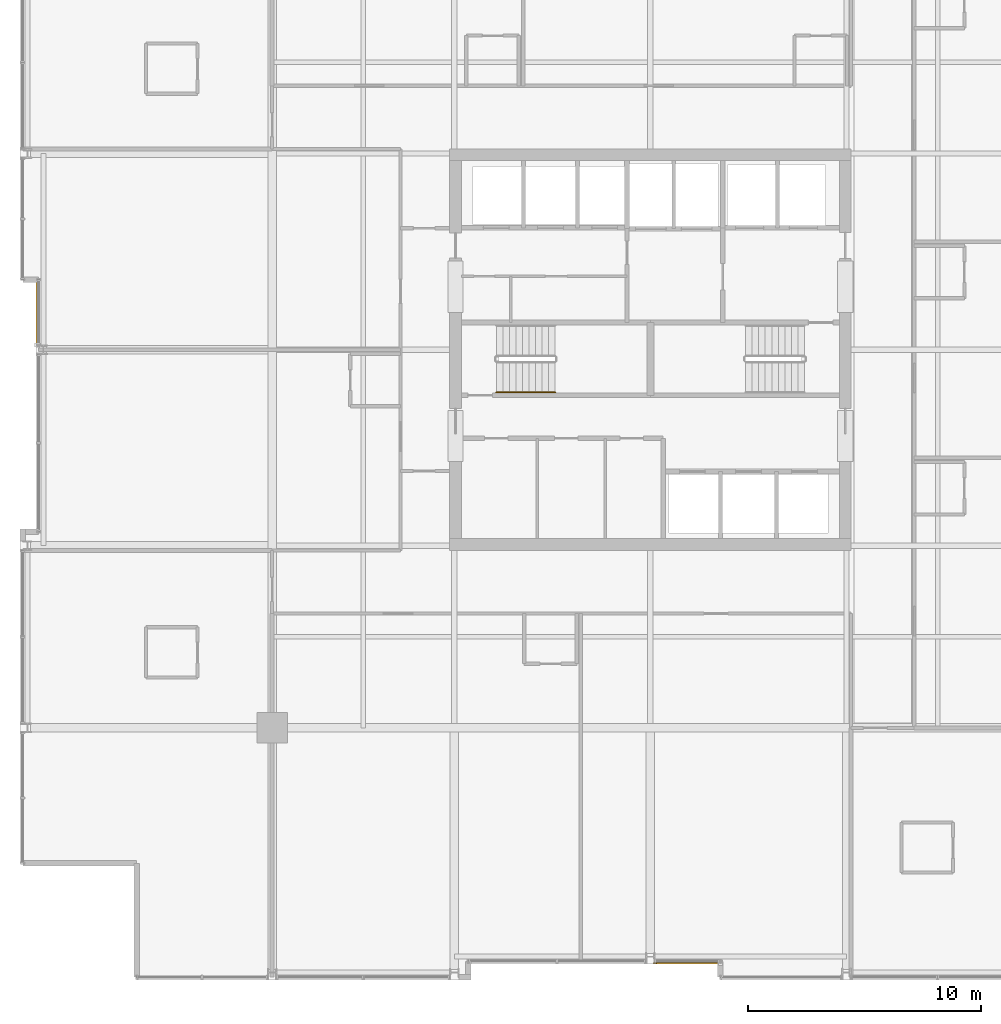
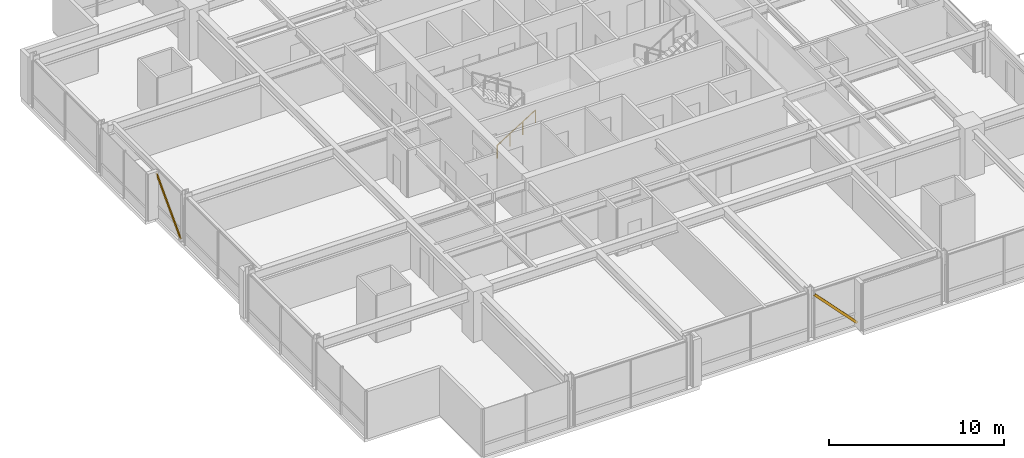
# One storey, part 31 of 33: 2 shading devices, 1 railing.
"""IFC4 building model written with IfcOpenShell, lengths in metres."""

from ifc_helpers import new_model, si_unit, direction, frame, origin, origin_2d, place, context, subcontext, project, spatial, hollow_rectangle, circle, extrude, material, material_profile, profile_set, type_object, element, save


model = new_model("IFC4")

# Units and contexts
model_context = context("Model", 3, precision=1e-05, world=origin(), true_north=direction((0.0, 1.0)))
body_context = subcontext(model_context, "Body", "Model", "MODEL_VIEW")
ifc_project = project(units=[si_unit("LENGTHUNIT", "METRE"), si_unit("AREAUNIT", "SQUARE_METRE"), si_unit("VOLUMEUNIT", "CUBIC_METRE"), si_unit("PLANEANGLEUNIT", "RADIAN"), si_unit("MASSUNIT", "GRAM", prefix="KILO")], contexts=[model_context])

# Site, building, storey
site_placement = place(None, origin())
site = spatial("IfcSite", under=ifc_project, at=site_placement, CompositionType="ELEMENT")
building_placement = place(site_placement, origin())
building = spatial("IfcBuilding", under=site, at=building_placement, Name="Drelvath Grand Hotel", CompositionType="ELEMENT")
storey_placement = place(building_placement, frame((0.0, 0.0, 161.050048828125)))
storey = spatial("IfcBuildingStorey", under=building, at=storey_placement, Name="L41", CompositionType="ELEMENT", Elevation=161.050048828125)

# Railing
ifc_material_1 = material(Name="Painted Steel S275", Category="steel")
railing_type = type_object("IfcRailingType", Name="Core Stair Wall Handrail 900", PredefinedType="HANDRAIL", material=ifc_material_1)
railing_placement = place(storey_placement, frame((-6.60009765625, 25.169921875, 0.177490234375)))
element("IfcRailing", 1, at=railing_placement, inside=storey, type_object=railing_type, Name="L41 ST-1 stair handrail 1", PredefinedType="HANDRAIL", context=body_context, shape_type="SweptSolid", body=[
    extrude(circle(Radius=0.02392578125, at=origin_2d()), frame((0.0, 0.0, 0.8759765625), z_axis=(0.84460694969, 0.0, 0.535386869969), x_axis=(0.0, 1.0, 0.0)), (0.0, 0.0, 1.0), 2.983642578125),
    extrude(circle(Radius=0.02099609375, at=origin_2d()), origin(), (0.0, 0.0, 1.0), 0.851806640625),
    extrude(circle(Radius=0.02099609375, at=origin_2d()), frame((0.840087890625, 0.0, 0.532470703125)), (0.0, 0.0, 1.0), 0.851806640625),
    extrude(circle(Radius=0.02099609375, at=origin_2d()), frame((1.679931640625, 0.0, 1.06494140625)), (0.0, 0.0, 1.0), 0.851806640625),
    extrude(circle(Radius=0.02099609375, at=origin_2d()), frame((2.52001953125, 0.0, 1.597412109375)), (0.0, 0.0, 1.0), 0.851806640625),
])

# Shading devices
ifc_material_2 = material(Name="Brushed Pale-Silver Anodised Aluminium", Category="aluminium")
ifc_material_profile = material_profile(ifc_material_2, hollow_rectangle(XDim=0.06494140625, YDim=0.159912109375, WallThickness=0.00390625, at=origin_2d()), Name="HSS160X65X4")
ifc_profile_set = profile_set([ifc_material_profile], Name="Brushed Pale-Silver Anodised Aluminium")
shading_device_type = type_object("IfcShadingDeviceType", Name="Diagonal Solar Fin Pale-Silver Anodised HSS160X65X4", PredefinedType="USERDEFINED", material=ifc_profile_set)
for number, where, z_axis, x_axis, name in (
    (2, (-26.280029296875, 27.2001953125, 0.179931640625), (0.0, 0.690869667708, 0.722979323523), (-1.0, 0.0, 0.0), "L41 Diagonal Anodised Fin CW04-L41-WM2"),
    (3, (3.0, 0.719970703125, 0.179931640625), (-0.690869667708, 0.0, 0.722979323523), (0.0, -1.0, 0.0), "L41 Diagonal Anodised Fin CW04-L41-SM2"),
):
    element("IfcShadingDevice", number, at=place(storey_placement, frame(where, z_axis=z_axis, x_axis=x_axis)), inside=storey, type_object=shading_device_type, Name=name, ObjectType="FIN", PredefinedType="USERDEFINED", context=body_context, shape_type="SweptSolid", body=[
        extrude(hollow_rectangle(XDim=0.06494140625, YDim=0.159912109375, WallThickness=0.00390625, at=origin_2d()), origin(), (0.0, 0.0, 1.0), 4.052490234375),
    ])

save(model, "model.ifc")
